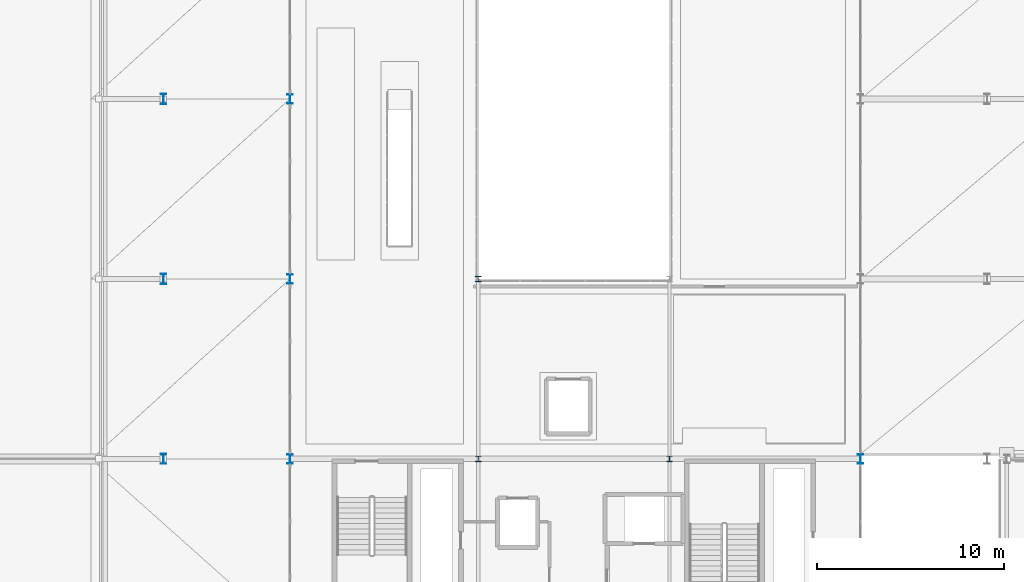
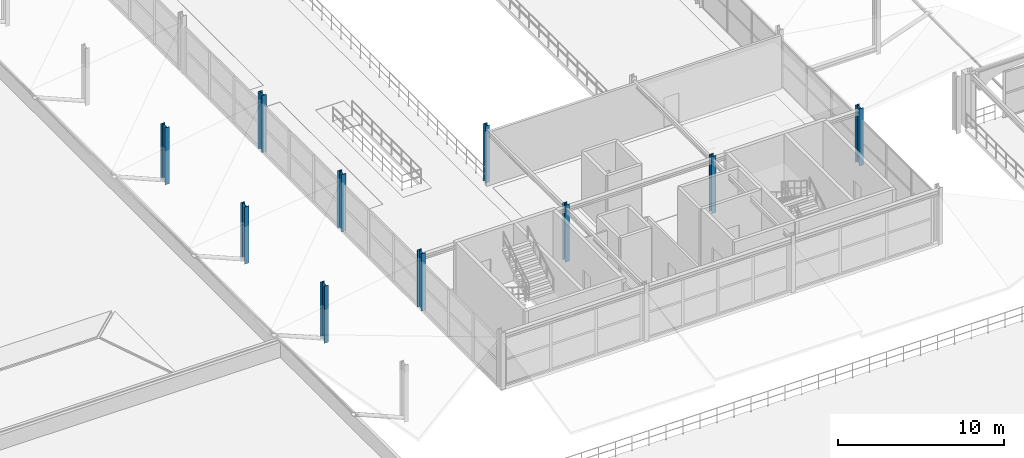
# One storey, part 3 of 81: 10 columns.
"""IFC4 building model written with IfcOpenShell, lengths in metres."""

from ifc_helpers import new_model, si_unit, direction, frame, origin, origin_2d, place, context, subcontext, project, spatial, i_section, extrude, material, material_profile, profile_set, type_object, element, save


model = new_model("IFC4")

# Units and contexts
model_context = context("Model", 3, precision=1e-05, world=origin(), true_north=direction((0.0, 1.0)))
body_context = subcontext(model_context, "Body", "Model", "MODEL_VIEW")
ifc_project = project(units=[si_unit("LENGTHUNIT", "METRE"), si_unit("AREAUNIT", "SQUARE_METRE"), si_unit("VOLUMEUNIT", "CUBIC_METRE"), si_unit("PLANEANGLEUNIT", "RADIAN"), si_unit("MASSUNIT", "GRAM", prefix="KILO")], contexts=[model_context])

# Site, building, storey
site_placement = place(None, origin())
site = spatial("IfcSite", under=ifc_project, at=site_placement, CompositionType="ELEMENT")
building_placement = place(site_placement, origin())
building = spatial("IfcBuilding", under=site, at=building_placement, Name="Myrtia Square Station", CompositionType="ELEMENT")
storey_placement = place(building_placement, frame((0.0, 0.0, 10.800048828125)))
storey = spatial("IfcBuildingStorey", under=building, at=storey_placement, Name="L02", CompositionType="ELEMENT", Elevation=10.800048828125)

# Columns
ifc_material = material(Name="Steel S355", Category="steel")
ifc_material_profile_1 = material_profile(ifc_material, i_section(OverallWidth=0.300048828125, OverallDepth=0.5400390625, WebThickness=0.012451171875, FlangeThickness=0.02392578125, FilletRadius=0.027099609375, at=origin_2d()), Name="HEA 550")
ifc_profile_set_1 = profile_set([ifc_material_profile_1], Name="Steel S355")
column_type_1 = type_object("IfcColumnType", Name="COL-HEA550", PredefinedType="COLUMN", material=ifc_profile_set_1)
for number, where, z_axis, x_axis, name in (
    (1, (72.60009765625, 38.39990234375, 0.0), (0.0, 0.0, 1.0), (1.0, 0.0, 0.0), "Column L02-0266"),
    (2, (72.60009765625, 48.0, 0.0), (0.0, 0.0, 1.0), (1.0, 0.0, 0.0), "Column L02-0288"),
    (3, (72.60009765625, 57.60009765625, 0.0), (0.0, 0.0, 1.0), (1.0, 0.0, 0.0), "Column L02-0310"),
):
    element("IfcColumn", number, at=place(storey_placement, frame(where, z_axis=z_axis, x_axis=x_axis)), inside=storey, type_object=column_type_1, Name=name, PredefinedType="COLUMN", context=body_context, shape_type="SweptSolid", body=[
        extrude(i_section(OverallWidth=0.300048828125, OverallDepth=0.5400390625, WebThickness=0.012451171875, FlangeThickness=0.02392578125, FilletRadius=0.027099609375, at=origin_2d()), origin(), (0.0, 0.0, 1.0), 4.199951171875),
    ])
ifc_material_profile_2 = material_profile(ifc_material, i_section(OverallWidth=0.300048828125, OverallDepth=0.300048828125, WebThickness=0.010986328125, FlangeThickness=0.01904296875, FilletRadius=0.027099609375, at=origin_2d()), Name="HEB 300")
ifc_profile_set_2 = profile_set([ifc_material_profile_2], Name="Steel S355")
column_type_2 = type_object("IfcColumnType", Name="COL-HEB300", PredefinedType="COLUMN", material=ifc_profile_set_2)
for number, where, z_axis, x_axis, name in (
    (4, (89.39990234375, 38.39990234375, 0.0), (0.0, 0.0, 1.0), (1.0, 0.0, 0.0), "Column L02-0425"),
    (5, (89.39990234375, 48.0, 0.0), (0.0, 0.0, 1.0), (1.0, 0.0, 0.0), "Column L02-0430"),
    (6, (99.60009765625, 38.39990234375, 0.0), (0.0, 0.0, 1.0), (1.0, 0.0, 0.0), "Column L02-0457"),
):
    element("IfcColumn", number, at=place(storey_placement, frame(where, z_axis=z_axis, x_axis=x_axis)), inside=storey, type_object=column_type_2, Name=name, PredefinedType="COLUMN", context=body_context, shape_type="SweptSolid", body=[
        extrude(i_section(OverallWidth=0.300048828125, OverallDepth=0.300048828125, WebThickness=0.010986328125, FlangeThickness=0.01904296875, FilletRadius=0.027099609375, at=origin_2d()), origin(), (0.0, 0.0, 1.0), 4.199951171875),
    ])
ifc_material_profile_3 = material_profile(ifc_material, i_section(OverallWidth=0.300048828125, OverallDepth=0.5, WebThickness=0.014404296875, FlangeThickness=0.028076171875, FilletRadius=0.027099609375, at=origin_2d()), Name="HEB 500")
ifc_profile_set_3 = profile_set([ifc_material_profile_3], Name="Steel S355")
column_type_3 = type_object("IfcColumnType", Name="COL-HEB500", PredefinedType="COLUMN", material=ifc_profile_set_3)
for number, where, z_axis, x_axis, name in (
    (7, (79.35009765625, 38.39990234375, 0.0), (0.0, 0.0, 1.0), (1.0, 0.0, 0.0), "Column L02-0276"),
    (8, (109.800048828125, 38.39990234375, 0.0), (0.0, 0.0, 1.0), (1.0, 0.0, 0.0), "Column L02-0282"),
    (9, (79.35009765625, 48.0, 0.0), (0.0, 0.0, 1.0), (1.0, 0.0, 0.0), "Column L02-0298"),
    (10, (79.35009765625, 57.60009765625, 0.0), (0.0, 0.0, 1.0), (1.0, 0.0, 0.0), "Column L02-0320"),
):
    element("IfcColumn", number, at=place(storey_placement, frame(where, z_axis=z_axis, x_axis=x_axis)), inside=storey, type_object=column_type_3, Name=name, PredefinedType="COLUMN", context=body_context, shape_type="SweptSolid", body=[
        extrude(i_section(OverallWidth=0.300048828125, OverallDepth=0.5, WebThickness=0.014404296875, FlangeThickness=0.028076171875, FilletRadius=0.027099609375, at=origin_2d()), origin(), (0.0, 0.0, 1.0), 4.199951171875),
    ])

save(model, "model.ifc")
